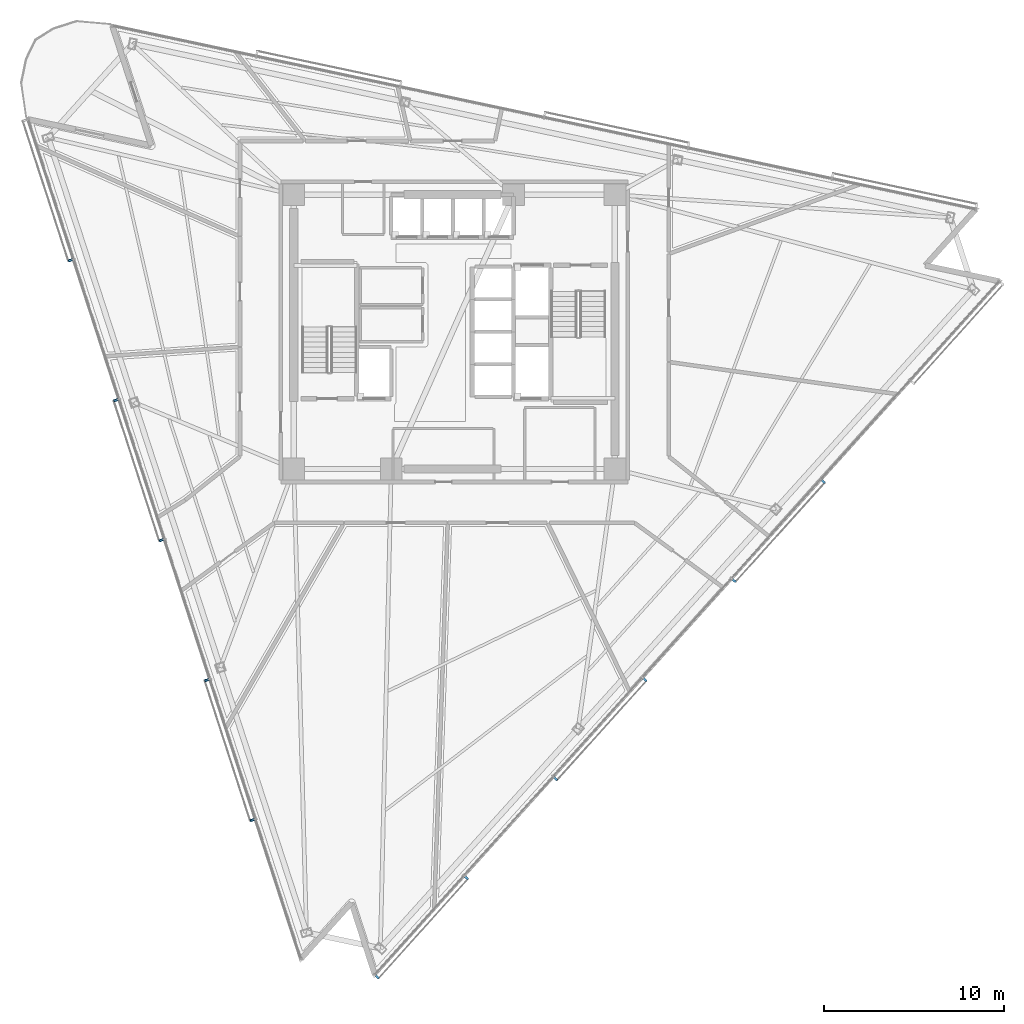
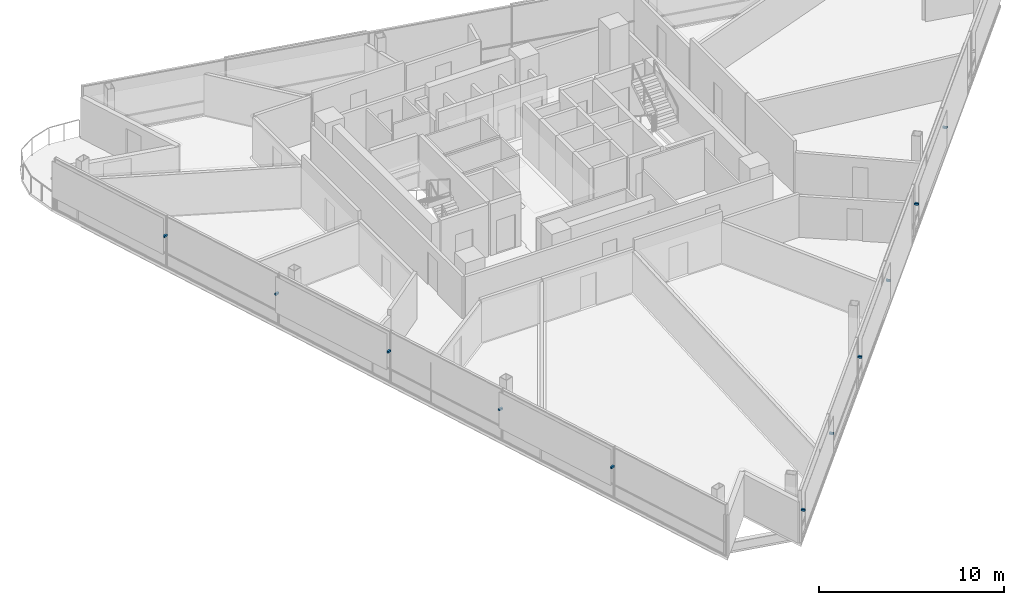
# One storey, part 13 of 17: 11 discrete accessories.
"""IFC4 building model written with IfcOpenShell, lengths in metres."""

from ifc_helpers import new_model, si_unit, direction, frame, origin, origin_2d, place, context, subcontext, project, spatial, rectangle, extrude, material, type_object, element, save


model = new_model("IFC4")

# Units and contexts
model_context = context("Model", 3, precision=1e-05, world=origin(), true_north=direction((0.0, 1.0)))
body_context = subcontext(model_context, "Body", "Model", "MODEL_VIEW")
ifc_project = project(units=[si_unit("LENGTHUNIT", "METRE"), si_unit("AREAUNIT", "SQUARE_METRE"), si_unit("VOLUMEUNIT", "CUBIC_METRE"), si_unit("PLANEANGLEUNIT", "RADIAN"), si_unit("MASSUNIT", "GRAM", prefix="KILO")], contexts=[model_context])

# Site, building, storey
site_placement = place(None, origin())
site = spatial("IfcSite", under=ifc_project, at=site_placement, CompositionType="ELEMENT")
building_placement = place(site_placement, origin())
building = spatial("IfcBuilding", under=site, at=building_placement, Name="Tharavind Bronze Gate", CompositionType="ELEMENT")
storey_placement = place(building_placement, frame((0.0, 0.0, 214.85009765625)))
storey = spatial("IfcBuildingStorey", under=building, at=storey_placement, Name="L55", CompositionType="ELEMENT", Elevation=214.85009765625)

# Discrete accessories
ifc_material = material(Name="Stainless Steel 316", Category="steel")
discrete_accessory_type = type_object("IfcDiscreteAccessoryType", Name="SOLAR SCREEN STANDOFF BRACKET", PredefinedType="BRACKET", material=ifc_material)
for number, where, z_axis, x_axis, name in (
    (1, (-21.281005859375, 3.96826171875, 2.099853515625), (0.0, 0.0, 1.0), (0.309016994375, -0.951056516295, 0.0), "CW-L55-S1 solar screen bracket 1.2"),
    (2, (-18.760986328125, -3.7880859375, 2.099853515625), (0.0, 0.0, 1.0), (0.309016994375, -0.951056516295, 0.0), "CW-L55-S1 solar screen bracket 3.1"),
    (3, (-16.240478515625, -11.544677734375, 2.099853515625), (0.0, 0.0, 1.0), (0.309016994375, -0.951056516295, 0.0), "CW-L55-S1 solar screen bracket 3.2"),
    (4, (-13.720458984375, -19.30126953125, 2.099853515625), (0.0, 0.0, 1.0), (0.309016994375, -0.951056516295, 0.0), "CW-L55-S1 solar screen bracket 5.1"),
    (5, (-11.2001953125, -27.057861328125, 2.099853515625), (0.0, 0.0, 1.0), (0.309016994375, -0.951056516295, 0.0), "CW-L55-S1 solar screen bracket 5.2"),
    (6, (-4.2783203125, -35.75, 2.099853515625), (0.0, 0.0, 1.0), (0.669130606359, 0.743144825477, 0.0), "CW-L55-S2 solar screen bracket 1.1"),
    (7, (0.666015625, -30.258544921875, 2.099853515625), (0.0, 0.0, 1.0), (0.669130606359, 0.743144825477, 0.0), "CW-L55-S2 solar screen bracket 1.2"),
    (8, (5.610595703125, -24.76708984375, 2.099853515625), (0.0, 0.0, 1.0), (0.669130606359, 0.743144825477, 0.0), "CW-L55-S2 solar screen bracket 3.1"),
    (9, (10.55517578125, -19.275634765625, 2.099853515625), (0.0, 0.0, 1.0), (0.669130606359, 0.743144825477, 0.0), "CW-L55-S2 solar screen bracket 3.2"),
    (10, (15.49951171875, -13.7841796875, 2.099853515625), (0.0, 0.0, 1.0), (0.669130606359, 0.743144825477, 0.0), "CW-L55-S2 solar screen bracket 5.1"),
    (11, (20.444091796875, -8.292724609375, 2.099853515625), (0.0, 0.0, 1.0), (0.669130606359, 0.743144825477, 0.0), "CW-L55-S2 solar screen bracket 5.2"),
):
    element("IfcDiscreteAccessory", number, at=place(storey_placement, frame(where, z_axis=z_axis, x_axis=x_axis)), inside=storey, type_object=discrete_accessory_type, Name=name, PredefinedType="BRACKET", context=body_context, shape_type="SweptSolid", body=[
        extrude(rectangle(XDim=0.1201171875, YDim=0.239990234375, at=origin_2d()), origin(), (0.0, 0.0, 1.0), 0.1201171875),
    ])

save(model, "model.ifc")
